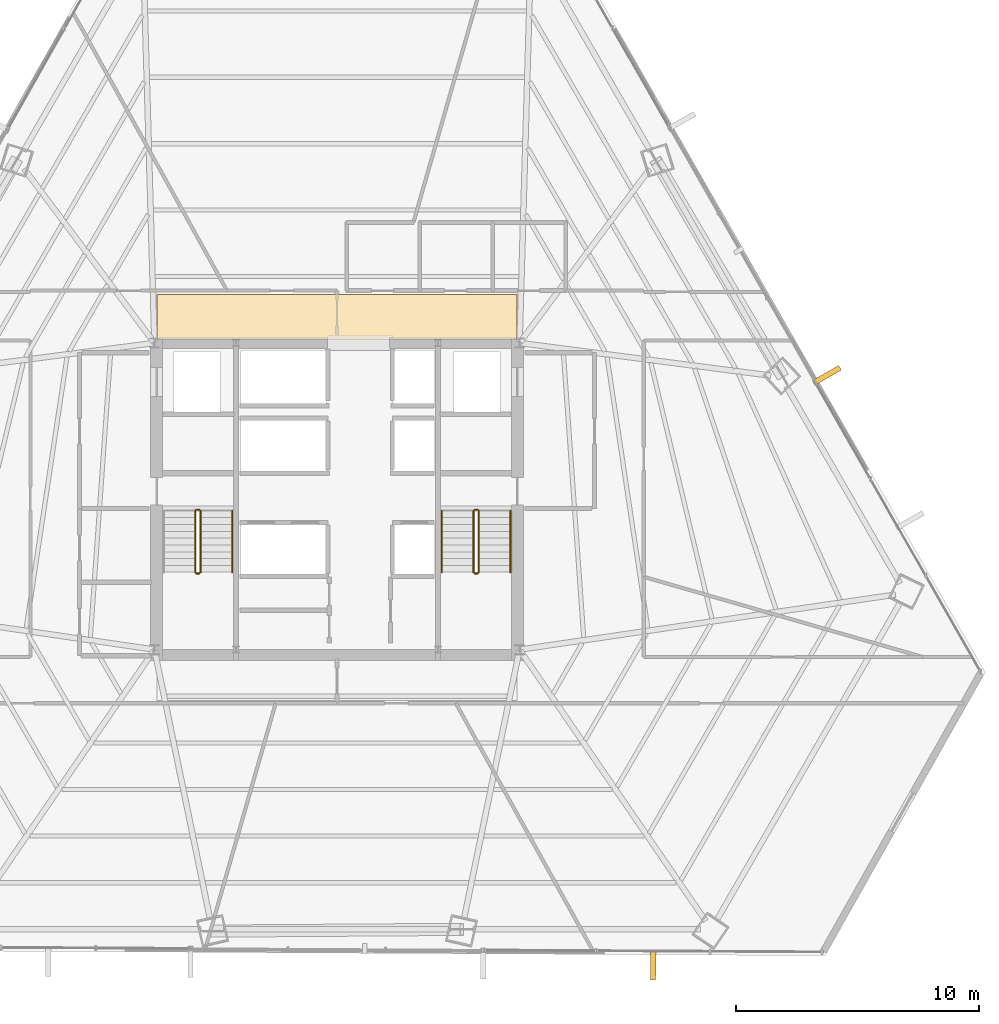
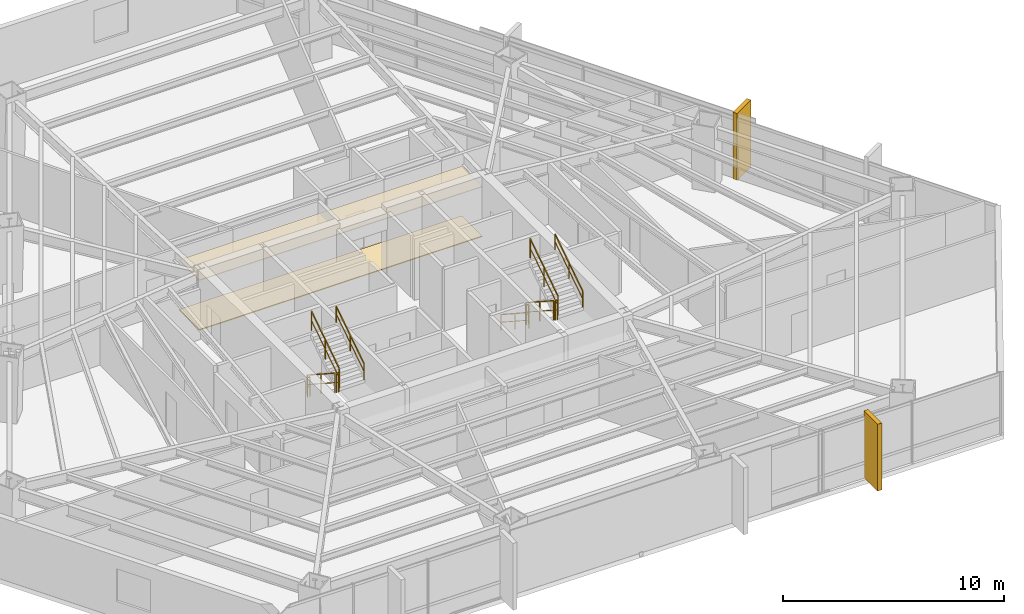
# One storey, part 35 of 36: 11 railings, 4 coverings.
"""IFC4 building model written with IfcOpenShell, lengths in metres."""

from ifc_helpers import new_model, si_unit, direction, frame, origin, origin_2d, place, context, subcontext, project, spatial, polyline, rectangle, outline, extrude, source, transform, mapped, material, layer, layer_set, type_object, type_shapes, element, save


model = new_model("IFC4")

# Units and contexts
model_context = context("Model", 3, precision=1e-05, world=origin(), true_north=direction((0.0, 1.0)))
body_context = subcontext(model_context, "Body", "Model", "MODEL_VIEW")
ifc_project = project(units=[si_unit("LENGTHUNIT", "METRE"), si_unit("AREAUNIT", "SQUARE_METRE"), si_unit("VOLUMEUNIT", "CUBIC_METRE"), si_unit("PLANEANGLEUNIT", "RADIAN"), si_unit("MASSUNIT", "GRAM", prefix="KILO")], contexts=[model_context])

# Site, building, storey
site_placement = place(None, origin())
site = spatial("IfcSite", under=ifc_project, at=site_placement, CompositionType="ELEMENT")
building_placement = place(site_placement, origin())
building = spatial("IfcBuilding", under=site, at=building_placement, Name="Caelisora Broadcast Tower", CompositionType="ELEMENT")
storey_placement = place(building_placement, frame((0.0, 0.0, 79.85009765625)))
storey = spatial("IfcBuildingStorey", under=building, at=storey_placement, Name="L20", CompositionType="ELEMENT", Elevation=79.85009765625)

# Coverings
ifc_material_1 = material(Name="Perforated Mineral-Fibre Acoustic Ceiling Tile", Category="gypsum")
ifc_layer_1 = layer(ifc_material_1, 0.034912109375, Name="Perforated Mineral-Fibre Acoustic Ceiling Tile")
ifc_layer_set_1 = layer_set([ifc_layer_1], Name="Perforated Mineral-Fibre Acoustic Ceiling Tile")
covering_type_1 = type_object("IfcCoveringType", Name="CE-1", PredefinedType="CEILING", material=ifc_layer_set_1)
covering_1_placement = place(storey_placement, frame((0.0, 0.0, 2.75)))
element("IfcCovering", 1, at=covering_1_placement, inside=storey, type_object=covering_type_1, Name="L20 acoustic corridor ceiling CE-1 (N)", PredefinedType="CEILING", context=body_context, shape_type="SweptSolid", body=[
    extrude(outline(polyline([(30.60009765625, 30.14990234375), (45.39990234375, 30.14990234375), (45.39990234375, 32.0), (30.60009765625, 32.0), (30.60009765625, 30.14990234375)])), origin(), (0.0, 0.0, 1.0), 0.034912109375),
])
ifc_material_2 = material(Name="Anti-Static Broadcast Raised Access Floor Panel", Category="steel")
ifc_layer_2 = layer(ifc_material_2, 0.044921875, Name="Anti-Static Broadcast Raised Access Floor Panel")
ifc_layer_set_2 = layer_set([ifc_layer_2], Name="Anti-Static Broadcast Raised Access Floor Panel")
covering_type_2 = type_object("IfcCoveringType", Name="FL-1", PredefinedType="FLOORING", material=ifc_layer_set_2)
covering_2_placement = place(storey_placement, origin())
element("IfcCovering", 2, at=covering_2_placement, inside=storey, type_object=covering_type_2, Name="L20 broadcast raised access floor FL-1 (N)", PredefinedType="FLOORING", context=body_context, shape_type="SweptSolid", body=[
    extrude(outline(polyline([(30.60009765625, 30.14990234375), (45.39990234375, 30.14990234375), (45.39990234375, 32.0), (30.60009765625, 32.0), (30.60009765625, 30.14990234375)])), origin(), (0.0, 0.0, 1.0), 0.044921875),
])

# Railings
ifc_material_3 = material(Name="Galvanised Steel Safety Guardrail", Category="steel")
ifc_layer_3 = layer(ifc_material_3, 0.048095703125, Name="Galvanised Steel Safety Guardrail")
ifc_layer_set_3 = layer_set([ifc_layer_3], Name="Galvanised Steel Safety Guardrail")
railing_type_1 = type_object("IfcRailingType", Name="GR-1", PredefinedType="GUARDRAIL", material=ifc_layer_set_3)
railing_1_placement = place(storey_placement, frame((32.169921875, 23.10009765625, 0.182373046875)))
element("IfcRailing", 3, at=railing_1_placement, inside=storey, type_object=railing_type_1, Name="L20 ST-1 stair guard 1", PredefinedType="GUARDRAIL", context=body_context, shape_type="SweptSolid", body=[
    extrude(rectangle(XDim=0.048095703125, YDim=0.048095703125, at=origin_2d()), frame((0.0, 0.0, 1.076171875), z_axis=(0.0, -0.837749427056, 0.546054848405), x_axis=(1.0, 0.0, 0.0)), (0.0, 0.0, 1.0), 3.008056640625),
    extrude(rectangle(XDim=0.03125, YDim=0.03125, at=origin_2d()), frame((0.0, 0.0, 0.550048828125), z_axis=(0.0, -0.837749427056, 0.546054848405), x_axis=(1.0, 0.0, 0.0)), (0.0, 0.0, 1.0), 3.008056640625),
    extrude(rectangle(XDim=0.0419921875, YDim=0.0419921875, at=origin_2d()), origin(), (0.0, 0.0, 1.0), 1.052001953125),
    extrude(rectangle(XDim=0.0419921875, YDim=0.0419921875, at=origin_2d()), frame((0.0, -1.260009765625, 0.8212890625)), (0.0, 0.0, 1.0), 1.052001953125),
    extrude(rectangle(XDim=0.0419921875, YDim=0.0419921875, at=origin_2d()), frame((0.0, -2.52001953125, 1.642578125)), (0.0, 0.0, 1.0), 1.052001953125),
])
railing_2_placement = place(storey_placement, frame((32.219970703125, 20.530029296875, 1.824951171875)))
element("IfcRailing", 4, at=railing_2_placement, inside=storey, type_object=railing_type_1, Name="L20 ST-1 stair guard 2", PredefinedType="GUARDRAIL", context=body_context, shape_type="SweptSolid", body=[
    extrude(rectangle(XDim=0.048095703125, YDim=0.048095703125, at=origin_2d()), frame((0.0, 0.0, 1.076171875), z_axis=(1.0, 0.0, 0.0), x_axis=(0.0, 1.0, 0.0)), (0.0, 0.0, 1.0), 0.1201171875),
    extrude(rectangle(XDim=0.03125, YDim=0.03125, at=origin_2d()), frame((0.0, 0.0, 0.550048828125), z_axis=(1.0, 0.0, 0.0), x_axis=(0.0, 1.0, 0.0)), (0.0, 0.0, 1.0), 0.1201171875),
    extrude(rectangle(XDim=0.0419921875, YDim=0.0419921875, at=origin_2d()), origin(), (0.0, 0.0, 1.0), 1.052001953125),
    extrude(rectangle(XDim=0.0419921875, YDim=0.0419921875, at=origin_2d()), frame((0.1201171875, 0.0, 0.0)), (0.0, 0.0, 1.0), 1.052001953125),
])
railing_3_placement = place(storey_placement, frame((32.389892578125, 20.580078125, 2.00732421875)))
element("IfcRailing", 5, at=railing_3_placement, inside=storey, type_object=railing_type_1, Name="L20 ST-1 stair guard 3", PredefinedType="GUARDRAIL", context=body_context, shape_type="SweptSolid", body=[
    extrude(rectangle(XDim=0.048095703125, YDim=0.048095703125, at=origin_2d()), frame((0.0, 0.0, 1.076171875), z_axis=(0.0, 0.837749427056, 0.546054848405), x_axis=(-1.0, 0.0, 0.0)), (0.0, 0.0, 1.0), 3.008056640625),
    extrude(rectangle(XDim=0.03125, YDim=0.03125, at=origin_2d()), frame((0.0, 0.0, 0.550048828125), z_axis=(0.0, 0.837749427056, 0.546054848405), x_axis=(-1.0, 0.0, 0.0)), (0.0, 0.0, 1.0), 3.008056640625),
    extrude(rectangle(XDim=0.0419921875, YDim=0.0419921875, at=origin_2d()), origin(), (0.0, 0.0, 1.0), 1.052001953125),
    extrude(rectangle(XDim=0.0419921875, YDim=0.0419921875, at=origin_2d()), frame((0.0, 1.260009765625, 0.8212890625)), (0.0, 0.0, 1.0), 1.052001953125),
    extrude(rectangle(XDim=0.0419921875, YDim=0.0419921875, at=origin_2d()), frame((0.0, 2.52001953125, 1.642578125)), (0.0, 0.0, 1.0), 1.052001953125),
])
railing_4_placement = place(storey_placement, frame((32.219970703125, 23.14990234375, 0.0)))
element("IfcRailing", 6, at=railing_4_placement, inside=storey, type_object=railing_type_1, Name="L20 ST-1 stair guard 4", PredefinedType="GUARDRAIL", context=body_context, shape_type="SweptSolid", body=[
    extrude(rectangle(XDim=0.048095703125, YDim=0.048095703125, at=origin_2d()), frame((0.0, 0.0, 1.076171875), z_axis=(1.0, 0.0, 0.0), x_axis=(0.0, 1.0, 0.0)), (0.0, 0.0, 1.0), 0.1201171875),
    extrude(rectangle(XDim=0.03125, YDim=0.03125, at=origin_2d()), frame((0.0, 0.0, 0.550048828125), z_axis=(1.0, 0.0, 0.0), x_axis=(0.0, 1.0, 0.0)), (0.0, 0.0, 1.0), 0.1201171875),
    extrude(rectangle(XDim=0.0419921875, YDim=0.0419921875, at=origin_2d()), origin(), (0.0, 0.0, 1.0), 1.052001953125),
    extrude(rectangle(XDim=0.0419921875, YDim=0.0419921875, at=origin_2d()), frame((0.1201171875, 0.0, 0.0)), (0.0, 0.0, 1.0), 1.052001953125),
])
railing_5_placement = place(storey_placement, frame((43.610107421875, 23.10009765625, 0.182373046875)))
element("IfcRailing", 7, at=railing_5_placement, inside=storey, type_object=railing_type_1, Name="L20 ST-2 stair guard 1", PredefinedType="GUARDRAIL", context=body_context, shape_type="SweptSolid", body=[
    extrude(rectangle(XDim=0.048095703125, YDim=0.048095703125, at=origin_2d()), frame((0.0, 0.0, 1.076171875), z_axis=(0.0, -0.837749427056, 0.546054848405), x_axis=(1.0, 0.0, 0.0)), (0.0, 0.0, 1.0), 3.008056640625),
    extrude(rectangle(XDim=0.03125, YDim=0.03125, at=origin_2d()), frame((0.0, 0.0, 0.550048828125), z_axis=(0.0, -0.837749427056, 0.546054848405), x_axis=(1.0, 0.0, 0.0)), (0.0, 0.0, 1.0), 3.008056640625),
    extrude(rectangle(XDim=0.0419921875, YDim=0.0419921875, at=origin_2d()), origin(), (0.0, 0.0, 1.0), 1.052001953125),
    extrude(rectangle(XDim=0.0419921875, YDim=0.0419921875, at=origin_2d()), frame((0.0, -1.260009765625, 0.8212890625)), (0.0, 0.0, 1.0), 1.052001953125),
    extrude(rectangle(XDim=0.0419921875, YDim=0.0419921875, at=origin_2d()), frame((0.0, -2.52001953125, 1.642578125)), (0.0, 0.0, 1.0), 1.052001953125),
])
railing_6_placement = place(storey_placement, frame((43.659912109375, 20.530029296875, 1.824951171875)))
element("IfcRailing", 8, at=railing_6_placement, inside=storey, type_object=railing_type_1, Name="L20 ST-2 stair guard 2", PredefinedType="GUARDRAIL", context=body_context, shape_type="SweptSolid", body=[
    extrude(rectangle(XDim=0.048095703125, YDim=0.048095703125, at=origin_2d()), frame((0.0, 0.0, 1.076171875), z_axis=(1.0, 0.0, 0.0), x_axis=(0.0, 1.0, 0.0)), (0.0, 0.0, 1.0), 0.1201171875),
    extrude(rectangle(XDim=0.03125, YDim=0.03125, at=origin_2d()), frame((0.0, 0.0, 0.550048828125), z_axis=(1.0, 0.0, 0.0), x_axis=(0.0, 1.0, 0.0)), (0.0, 0.0, 1.0), 0.1201171875),
    extrude(rectangle(XDim=0.0419921875, YDim=0.0419921875, at=origin_2d()), origin(), (0.0, 0.0, 1.0), 1.052001953125),
    extrude(rectangle(XDim=0.0419921875, YDim=0.0419921875, at=origin_2d()), frame((0.1201171875, 0.0, 0.0)), (0.0, 0.0, 1.0), 1.052001953125),
])
railing_7_placement = place(storey_placement, frame((43.830078125, 20.580078125, 2.00732421875)))
element("IfcRailing", 9, at=railing_7_placement, inside=storey, type_object=railing_type_1, Name="L20 ST-2 stair guard 3", PredefinedType="GUARDRAIL", context=body_context, shape_type="SweptSolid", body=[
    extrude(rectangle(XDim=0.048095703125, YDim=0.048095703125, at=origin_2d()), frame((0.0, 0.0, 1.076171875), z_axis=(0.0, 0.837749427056, 0.546054848405), x_axis=(-1.0, 0.0, 0.0)), (0.0, 0.0, 1.0), 3.008056640625),
    extrude(rectangle(XDim=0.03125, YDim=0.03125, at=origin_2d()), frame((0.0, 0.0, 0.550048828125), z_axis=(0.0, 0.837749427056, 0.546054848405), x_axis=(-1.0, 0.0, 0.0)), (0.0, 0.0, 1.0), 3.008056640625),
    extrude(rectangle(XDim=0.0419921875, YDim=0.0419921875, at=origin_2d()), origin(), (0.0, 0.0, 1.0), 1.052001953125),
    extrude(rectangle(XDim=0.0419921875, YDim=0.0419921875, at=origin_2d()), frame((0.0, 1.260009765625, 0.8212890625)), (0.0, 0.0, 1.0), 1.052001953125),
    extrude(rectangle(XDim=0.0419921875, YDim=0.0419921875, at=origin_2d()), frame((0.0, 2.52001953125, 1.642578125)), (0.0, 0.0, 1.0), 1.052001953125),
])
railing_8_placement = place(storey_placement, frame((43.659912109375, 23.14990234375, 0.0)))
element("IfcRailing", 10, at=railing_8_placement, inside=storey, type_object=railing_type_1, Name="L20 ST-2 stair guard 4", PredefinedType="GUARDRAIL", context=body_context, shape_type="SweptSolid", body=[
    extrude(rectangle(XDim=0.048095703125, YDim=0.048095703125, at=origin_2d()), frame((0.0, 0.0, 1.076171875), z_axis=(1.0, 0.0, 0.0), x_axis=(0.0, 1.0, 0.0)), (0.0, 0.0, 1.0), 0.1201171875),
    extrude(rectangle(XDim=0.03125, YDim=0.03125, at=origin_2d()), frame((0.0, 0.0, 0.550048828125), z_axis=(1.0, 0.0, 0.0), x_axis=(0.0, 1.0, 0.0)), (0.0, 0.0, 1.0), 0.1201171875),
    extrude(rectangle(XDim=0.0419921875, YDim=0.0419921875, at=origin_2d()), origin(), (0.0, 0.0, 1.0), 1.052001953125),
    extrude(rectangle(XDim=0.0419921875, YDim=0.0419921875, at=origin_2d()), frame((0.1201171875, 0.0, 0.0)), (0.0, 0.0, 1.0), 1.052001953125),
])
ifc_material_4 = material(Name="Stainless Steel Grade 316 Tubular Handrail", Category="steel")
ifc_layer_4 = layer(ifc_material_4, 0.048095703125, Name="Stainless Steel Grade 316 Tubular Handrail")
ifc_layer_set_4 = layer_set([ifc_layer_4], Name="Stainless Steel Grade 316 Tubular Handrail")
railing_type_2 = type_object("IfcRailingType", Name="HR-1", PredefinedType="HANDRAIL", material=ifc_layer_set_4)
railing_9_placement = place(storey_placement, frame((33.68994140625, 20.580078125, 2.00732421875)))
element("IfcRailing", 11, at=railing_9_placement, inside=storey, type_object=railing_type_2, Name="L20 ST-1 stair handrail 2", PredefinedType="HANDRAIL", context=body_context, shape_type="SweptSolid", body=[
    extrude(rectangle(XDim=0.048095703125, YDim=0.048095703125, at=origin_2d()), frame((0.0, 0.0, 0.8759765625), z_axis=(0.0, 0.837749427056, 0.546054848405), x_axis=(-1.0, 0.0, 0.0)), (0.0, 0.0, 1.0), 3.008056640625),
    extrude(rectangle(XDim=0.03125, YDim=0.03125, at=origin_2d()), frame((0.0, 0.0, 0.449951171875), z_axis=(0.0, 0.837749427056, 0.546054848405), x_axis=(-1.0, 0.0, 0.0)), (0.0, 0.0, 1.0), 3.008056640625),
    extrude(rectangle(XDim=0.0419921875, YDim=0.0419921875, at=origin_2d()), origin(), (0.0, 0.0, 1.0), 0.851806640625),
    extrude(rectangle(XDim=0.0419921875, YDim=0.0419921875, at=origin_2d()), frame((0.0, 1.260009765625, 0.8212890625)), (0.0, 0.0, 1.0), 0.851806640625),
    extrude(rectangle(XDim=0.0419921875, YDim=0.0419921875, at=origin_2d()), frame((0.0, 2.52001953125, 1.642578125)), (0.0, 0.0, 1.0), 0.851806640625),
])
railing_10_placement = place(storey_placement, frame((42.31005859375, 23.10009765625, 0.182373046875)))
element("IfcRailing", 12, at=railing_10_placement, inside=storey, type_object=railing_type_2, Name="L20 ST-2 stair handrail 1", PredefinedType="HANDRAIL", context=body_context, shape_type="SweptSolid", body=[
    extrude(rectangle(XDim=0.048095703125, YDim=0.048095703125, at=origin_2d()), frame((0.0, 0.0, 0.8759765625), z_axis=(0.0, -0.837749427056, 0.546054848405), x_axis=(1.0, 0.0, 0.0)), (0.0, 0.0, 1.0), 3.008056640625),
    extrude(rectangle(XDim=0.03125, YDim=0.03125, at=origin_2d()), frame((0.0, 0.0, 0.449951171875), z_axis=(0.0, -0.837749427056, 0.546054848405), x_axis=(1.0, 0.0, 0.0)), (0.0, 0.0, 1.0), 3.008056640625),
    extrude(rectangle(XDim=0.0419921875, YDim=0.0419921875, at=origin_2d()), origin(), (0.0, 0.0, 1.0), 0.851806640625),
    extrude(rectangle(XDim=0.0419921875, YDim=0.0419921875, at=origin_2d()), frame((0.0, -1.260009765625, 0.8212890625)), (0.0, 0.0, 1.0), 0.851806640625),
    extrude(rectangle(XDim=0.0419921875, YDim=0.0419921875, at=origin_2d()), frame((0.0, -2.52001953125, 1.642578125)), (0.0, 0.0, 1.0), 0.851806640625),
])
railing_11_placement = place(storey_placement, frame((45.1298828125, 20.580078125, 2.00732421875)))
element("IfcRailing", 13, at=railing_11_placement, inside=storey, type_object=railing_type_2, Name="L20 ST-2 stair handrail 2", PredefinedType="HANDRAIL", context=body_context, shape_type="SweptSolid", body=[
    extrude(rectangle(XDim=0.048095703125, YDim=0.048095703125, at=origin_2d()), frame((0.0, 0.0, 0.8759765625), z_axis=(0.0, 0.837749427056, 0.546054848405), x_axis=(-1.0, 0.0, 0.0)), (0.0, 0.0, 1.0), 3.008056640625),
    extrude(rectangle(XDim=0.03125, YDim=0.03125, at=origin_2d()), frame((0.0, 0.0, 0.449951171875), z_axis=(0.0, 0.837749427056, 0.546054848405), x_axis=(-1.0, 0.0, 0.0)), (0.0, 0.0, 1.0), 3.008056640625),
    extrude(rectangle(XDim=0.0419921875, YDim=0.0419921875, at=origin_2d()), origin(), (0.0, 0.0, 1.0), 0.851806640625),
    extrude(rectangle(XDim=0.0419921875, YDim=0.0419921875, at=origin_2d()), frame((0.0, 1.260009765625, 0.8212890625)), (0.0, 0.0, 1.0), 0.851806640625),
    extrude(rectangle(XDim=0.0419921875, YDim=0.0419921875, at=origin_2d()), frame((0.0, 2.52001953125, 1.642578125)), (0.0, 0.0, 1.0), 0.851806640625),
])

# Coverings
ifc_material_5 = material(Name="Kiln-Fired Terracotta Spandrel Rainscreen Cladding", Category="ceramic")
ifc_layer_5 = layer(ifc_material_5, 0.044921875, Name="Kiln-Fired Terracotta Spandrel Rainscreen Cladding")
ifc_layer_set_5 = layer_set([ifc_layer_5], Name="Kiln-Fired Terracotta Spandrel Rainscreen Cladding")
covering_type_3 = type_object("IfcCoveringType", Name="CL-1", PredefinedType="CLADDING", material=ifc_layer_set_5)
shared_shape = source(origin(), body_context, "Body", "SweptSolid", [
    extrude(rectangle(XDim=0.219970703125, YDim=1.25, at=origin_2d()), origin(), (0.0, 0.0, 1.0), 3.68994140625),
])
type_shapes(covering_type_3, [shared_shape])
for number, where, z_axis, x_axis, name in (
    (14, (58.126953125, 28.6708984375, -0.02001953125), (0.0, 0.0, 1.0), (0.496519531995, -0.868025549363, 0.0), "L20 vertical solar fin cladding #1-3"),
    (15, (50.98828125, 4.4521484375, -0.02001953125), (0.0, 0.0, 1.0), (-0.999985363169, 0.005410494284, 0.0), "L20 vertical solar fin cladding #2-1"),
):
    element("IfcCovering", number, at=place(storey_placement, frame(where, z_axis=z_axis, x_axis=x_axis)), inside=storey, type_object=covering_type_3, Name=name, PredefinedType="CLADDING", context=body_context, shape_type="MappedRepresentation", body=[
        mapped(shared_shape, transform((0.0, 0.0, 0.0), scale=1.0)),
    ])

save(model, "model.ifc")
